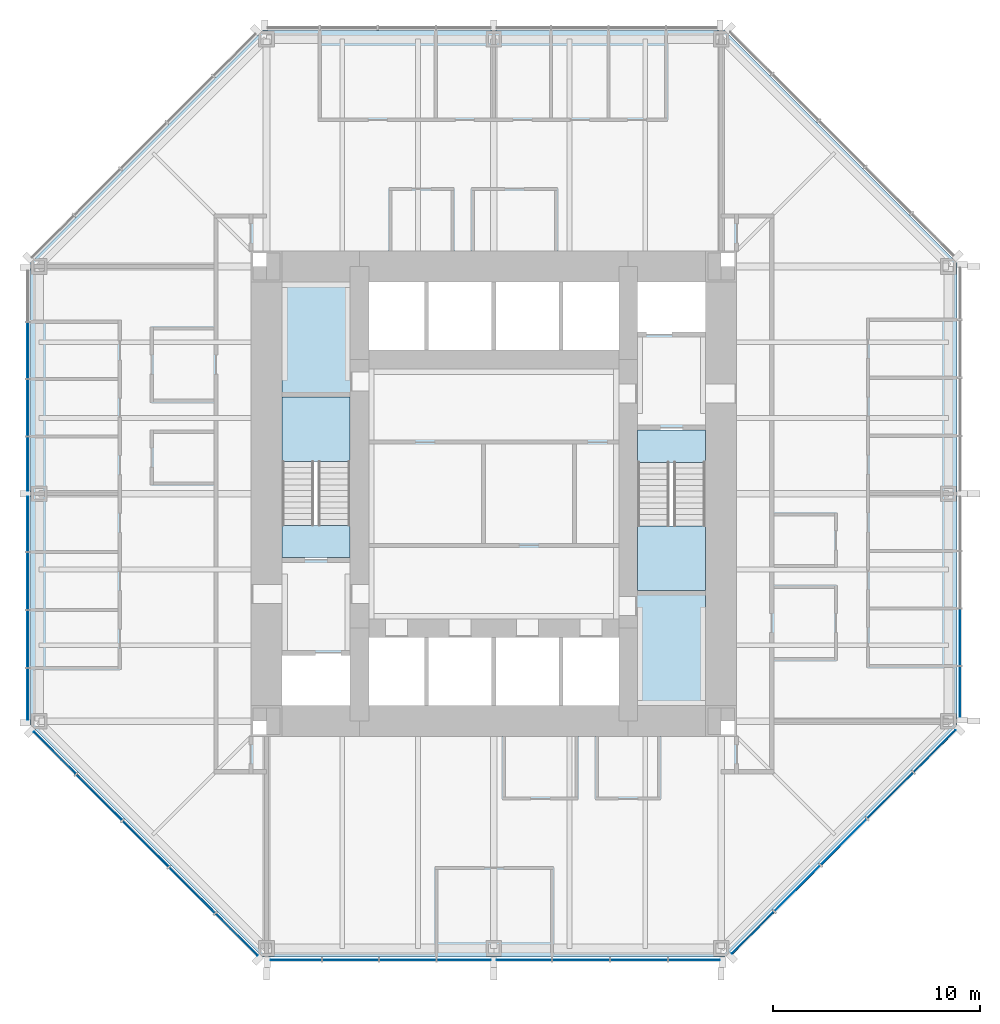
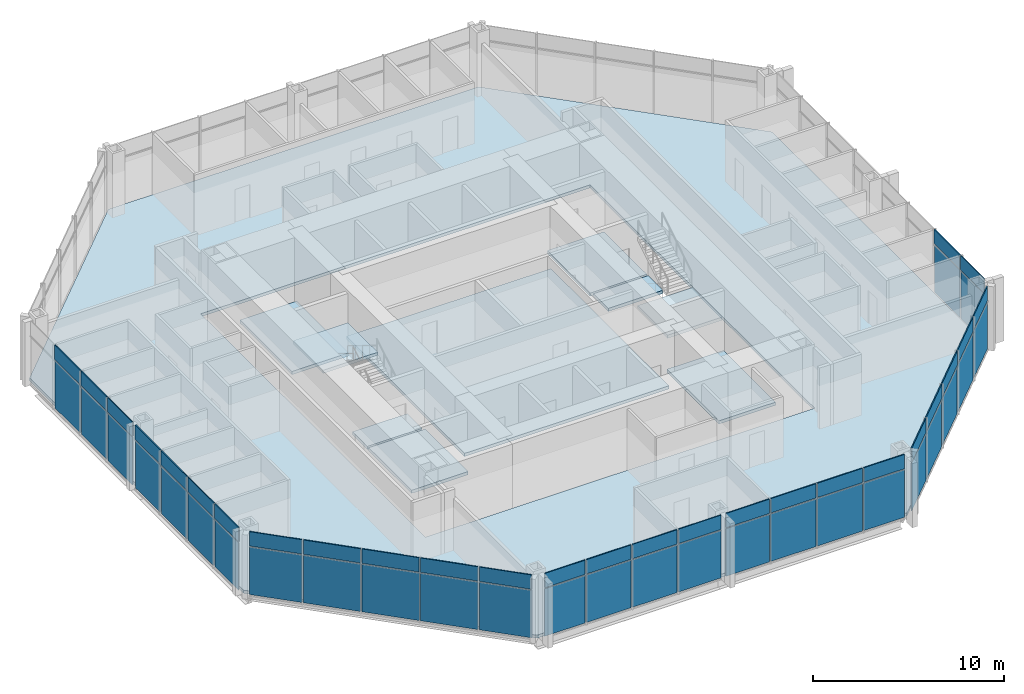
# One storey, part 7 of 14: 54 plates, 10 slabs, 7 elements without a shape of their own.
"""IFC4 building model written with IfcOpenShell, lengths in metres."""

from ifc_helpers import new_model, si_unit, direction, frame, origin, origin_2d, place, context, subcontext, project, spatial, polyline, rectangle, outline, extrude, material, layer, layer_set, type_object, element, aggregate, save


model = new_model("IFC4")

# Units and contexts
model_context = context("Model", 3, precision=1e-05, world=origin(), true_north=direction((0.0, 1.0)))
body_context = subcontext(model_context, "Body", "Model", "MODEL_VIEW")
ifc_project = project(units=[si_unit("LENGTHUNIT", "METRE"), si_unit("AREAUNIT", "SQUARE_METRE"), si_unit("VOLUMEUNIT", "CUBIC_METRE"), si_unit("PLANEANGLEUNIT", "RADIAN"), si_unit("MASSUNIT", "GRAM", prefix="KILO")], contexts=[model_context])

# Site, building, storey
site_placement = place(None, origin())
site = spatial("IfcSite", under=ifc_project, at=site_placement, CompositionType="ELEMENT")
building_placement = place(site_placement, origin())
building = spatial("IfcBuilding", under=site, at=building_placement, Name="Trevanion Tower", CompositionType="ELEMENT")
storey_placement = place(building_placement, frame((0.0, 0.0, 109.0)))
storey = spatial("IfcBuildingStorey", under=building, at=storey_placement, Name="L25", CompositionType="ELEMENT", Elevation=109.0)

# Curtain wall, plates
ifc_material_1 = material(Name="Aluminium and glass", Category="aluminium")
curtain_wall_type = type_object("IfcCurtainWallType", Name="CW2 curtain wall", PredefinedType="USERDEFINED", material=ifc_material_1)
curtain_wall_1_placement = place(storey_placement, origin())
curtain_wall_1 = element("IfcCurtainWall", 1, at=curtain_wall_1_placement, inside=storey, type_object=curtain_wall_type, Name="CW2 L25 0", ObjectType="UNITISED CURTAIN WALL", PredefinedType="USERDEFINED")
ifc_material_2 = material(Name="Aluminium spandrel panel", Category="aluminium")
ifc_layer_1 = layer(ifc_material_2, 0.06005859375)
ifc_layer_set_1 = layer_set([ifc_layer_1], Name="CW2 spandrel panel")
plate_type_1 = type_object("IfcPlateType", Name="CW2 spandrel panel", PredefinedType="CURTAIN_PANEL", material=ifc_layer_set_1)
plate_1_placement = place(storey_placement, frame((22.550048828125, -9.579345703125, 2.997314453125), z_axis=(0.0, 0.0, 1.0), x_axis=(0.0, 1.0, 0.0)))
plate_1 = element("IfcPlate", 2, at=plate_1_placement, type_object=plate_type_1, Name="CW2 panel 1.2", PredefinedType="CURTAIN_PANEL", context=body_context, shape_type="SweptSolid", body=[
    extrude(rectangle(XDim=2.43701171875, YDim=0.06005859375, at=origin_2d()), origin(), (0.0, 0.0, 1.0), 0.91259765625),
])
plate_2_placement = place(storey_placement, frame((22.550048828125, -6.93603515625, 2.997314453125), z_axis=(0.0, 0.0, 1.0), x_axis=(0.0, 1.0, 0.0)))
plate_2 = element("IfcPlate", 3, at=plate_2_placement, type_object=plate_type_1, Name="CW2 panel 2.2", PredefinedType="CURTAIN_PANEL", context=body_context, shape_type="SweptSolid", body=[
    extrude(rectangle(XDim=2.699462890625, YDim=0.06005859375, at=origin_2d()), origin(), (0.0, 0.0, 1.0), 0.91259765625),
])

curtain_wall_2_placement = place(storey_placement, origin())
curtain_wall_2 = element("IfcCurtainWall", 4, at=curtain_wall_2_placement, inside=storey, type_object=curtain_wall_type, Name="CW2 L25 4", ObjectType="UNITISED CURTAIN WALL", PredefinedType="USERDEFINED")
plate_3_placement = place(storey_placement, frame((-22.550048828125, 6.93603515625, 2.997314453125), z_axis=(0.0, 0.0, 1.0), x_axis=(0.0, -1.0, 0.0)))
plate_3 = element("IfcPlate", 5, at=plate_3_placement, type_object=plate_type_1, Name="CW2 panel 2.2", PredefinedType="CURTAIN_PANEL", context=body_context, shape_type="SweptSolid", body=[
    extrude(rectangle(XDim=2.699462890625, YDim=0.06005859375, at=origin_2d()), origin(), (0.0, 0.0, 1.0), 0.91259765625),
])
plate_4_placement = place(storey_placement, frame((-22.550048828125, 4.16162109375, 2.997314453125), z_axis=(0.0, 0.0, 1.0), x_axis=(0.0, -1.0, 0.0)))
plate_4 = element("IfcPlate", 6, at=plate_4_placement, type_object=plate_type_1, Name="CW2 panel 3.2", PredefinedType="CURTAIN_PANEL", context=body_context, shape_type="SweptSolid", body=[
    extrude(rectangle(XDim=2.699462890625, YDim=0.06005859375, at=origin_2d()), origin(), (0.0, 0.0, 1.0), 0.91259765625),
])
plate_5_placement = place(storey_placement, frame((-22.550048828125, 1.443603515625, 2.997314453125), z_axis=(0.0, 0.0, 1.0), x_axis=(0.0, -1.0, 0.0)))
plate_5 = element("IfcPlate", 7, at=plate_5_placement, type_object=plate_type_1, Name="CW2 panel 4.2", PredefinedType="CURTAIN_PANEL", context=body_context, shape_type="SweptSolid", body=[
    extrude(rectangle(XDim=2.5869140625, YDim=0.06005859375, at=origin_2d()), origin(), (0.0, 0.0, 1.0), 0.91259765625),
])
plate_6_placement = place(storey_placement, frame((-22.550048828125, -1.459716796875, 2.997314453125), z_axis=(0.0, 0.0, 1.0), x_axis=(0.0, -1.0, 0.0)))
plate_6 = element("IfcPlate", 8, at=plate_6_placement, type_object=plate_type_1, Name="CW2 panel 5.2", PredefinedType="CURTAIN_PANEL", context=body_context, shape_type="SweptSolid", body=[
    extrude(rectangle(XDim=2.619384765625, YDim=0.06005859375, at=origin_2d()), origin(), (0.0, 0.0, 1.0), 0.91259765625),
])
plate_7_placement = place(storey_placement, frame((-22.550048828125, -4.21044921875, 2.997314453125), z_axis=(0.0, 0.0, 1.0), x_axis=(0.0, -1.0, 0.0)))
plate_7 = element("IfcPlate", 9, at=plate_7_placement, type_object=plate_type_1, Name="CW2 panel 6.2", PredefinedType="CURTAIN_PANEL", context=body_context, shape_type="SweptSolid", body=[
    extrude(rectangle(XDim=2.73193359375, YDim=0.06005859375, at=origin_2d()), origin(), (0.0, 0.0, 1.0), 0.91259765625),
])
plate_8_placement = place(storey_placement, frame((-22.550048828125, -7.017333984375, 2.997314453125), z_axis=(0.0, 0.0, 1.0), x_axis=(0.0, -1.0, 0.0)))
plate_8 = element("IfcPlate", 10, at=plate_8_placement, type_object=plate_type_1, Name="CW2 panel 7.2", PredefinedType="CURTAIN_PANEL", context=body_context, shape_type="SweptSolid", body=[
    extrude(rectangle(XDim=2.73193359375, YDim=0.06005859375, at=origin_2d()), origin(), (0.0, 0.0, 1.0), 0.91259765625),
])
plate_9_placement = place(storey_placement, frame((-22.550048828125, -9.693115234375, 2.997314453125), z_axis=(0.0, 0.0, 1.0), x_axis=(0.0, -1.0, 0.0)))
plate_9 = element("IfcPlate", 11, at=plate_9_placement, type_object=plate_type_1, Name="CW2 panel 8.2", PredefinedType="CURTAIN_PANEL", context=body_context, shape_type="SweptSolid", body=[
    extrude(rectangle(XDim=2.469482421875, YDim=0.06005859375, at=origin_2d()), origin(), (0.0, 0.0, 1.0), 0.91259765625),
])

curtain_wall_3_placement = place(storey_placement, origin())
curtain_wall_3 = element("IfcCurtainWall", 12, at=curtain_wall_3_placement, inside=storey, type_object=curtain_wall_type, Name="CW2 L25 5", ObjectType="UNITISED CURTAIN WALL", PredefinedType="USERDEFINED")
plate_10_placement = place(storey_placement, frame((-21.2421875, -12.53564453125, 2.997314453125), z_axis=(0.0, 0.0, 1.0), x_axis=(0.707106781187, -0.707106781187, 0.0)))
plate_10 = element("IfcPlate", 13, at=plate_10_placement, type_object=plate_type_1, Name="CW2 panel 1.2", PredefinedType="CURTAIN_PANEL", context=body_context, shape_type="SweptSolid", body=[
    extrude(rectangle(XDim=2.8388671875, YDim=0.06005859375, at=origin_2d()), origin(), (0.0, 0.0, 1.0), 0.91259765625),
])
plate_11_placement = place(storey_placement, frame((-19.089111328125, -14.688720703125, 2.997314453125), z_axis=(0.0, 0.0, 1.0), x_axis=(0.707106781187, -0.707106781187, 0.0)))
plate_11 = element("IfcPlate", 14, at=plate_11_placement, type_object=plate_type_1, Name="CW2 panel 2.2", PredefinedType="CURTAIN_PANEL", context=body_context, shape_type="SweptSolid", body=[
    extrude(rectangle(XDim=3.101318359375, YDim=0.06005859375, at=origin_2d()), origin(), (0.0, 0.0, 1.0), 0.91259765625),
])
plate_12_placement = place(storey_placement, frame((-16.843017578125, -16.934814453125, 2.997314453125), z_axis=(0.0, 0.0, 1.0), x_axis=(0.707106781187, -0.707106781187, 0.0)))
plate_12 = element("IfcPlate", 15, at=plate_12_placement, type_object=plate_type_1, Name="CW2 panel 3.2", PredefinedType="CURTAIN_PANEL", context=body_context, shape_type="SweptSolid", body=[
    extrude(rectangle(XDim=3.101318359375, YDim=0.06005859375, at=origin_2d()), origin(), (0.0, 0.0, 1.0), 0.91259765625),
])
plate_13_placement = place(storey_placement, frame((-14.596923828125, -19.180908203125, 2.997314453125), z_axis=(0.0, 0.0, 1.0), x_axis=(0.707106781187, -0.707106781187, 0.0)))
plate_13 = element("IfcPlate", 16, at=plate_13_placement, type_object=plate_type_1, Name="CW2 panel 4.2", PredefinedType="CURTAIN_PANEL", context=body_context, shape_type="SweptSolid", body=[
    extrude(rectangle(XDim=3.101318359375, YDim=0.06005859375, at=origin_2d()), origin(), (0.0, 0.0, 1.0), 0.91259765625),
])
plate_14_placement = place(storey_placement, frame((-12.443603515625, -21.334228515625, 2.997314453125), z_axis=(0.0, 0.0, 1.0), x_axis=(0.707106781187, -0.707106781187, 0.0)))
plate_14 = element("IfcPlate", 17, at=plate_14_placement, type_object=plate_type_1, Name="CW2 panel 5.2", PredefinedType="CURTAIN_PANEL", context=body_context, shape_type="SweptSolid", body=[
    extrude(rectangle(XDim=2.8388671875, YDim=0.06005859375, at=origin_2d()), origin(), (0.0, 0.0, 1.0), 0.91259765625),
])

curtain_wall_4_placement = place(storey_placement, origin())
curtain_wall_4 = element("IfcCurtainWall", 18, at=curtain_wall_4_placement, inside=storey, type_object=curtain_wall_type, Name="CW2 L25 6", ObjectType="UNITISED CURTAIN WALL", PredefinedType="USERDEFINED")
plate_15_placement = place(storey_placement, frame((-9.579345703125, -22.550048828125, 2.997314453125), z_axis=(0.0, 0.0, 1.0), x_axis=(1.0, 0.0, 0.0)))
plate_15 = element("IfcPlate", 19, at=plate_15_placement, type_object=plate_type_1, Name="CW2 panel 1.2", PredefinedType="CURTAIN_PANEL", context=body_context, shape_type="SweptSolid", body=[
    extrude(rectangle(XDim=2.43701171875, YDim=0.06005859375, at=origin_2d()), origin(), (0.0, 0.0, 1.0), 0.91259765625),
])
plate_16_placement = place(storey_placement, frame((-6.93603515625, -22.550048828125, 2.997314453125), z_axis=(0.0, 0.0, 1.0), x_axis=(1.0, 0.0, 0.0)))
plate_16 = element("IfcPlate", 20, at=plate_16_placement, type_object=plate_type_1, Name="CW2 panel 2.2", PredefinedType="CURTAIN_PANEL", context=body_context, shape_type="SweptSolid", body=[
    extrude(rectangle(XDim=2.699462890625, YDim=0.06005859375, at=origin_2d()), origin(), (0.0, 0.0, 1.0), 0.91259765625),
])
plate_17_placement = place(storey_placement, frame((-4.16162109375, -22.550048828125, 2.997314453125), z_axis=(0.0, 0.0, 1.0), x_axis=(1.0, 0.0, 0.0)))
plate_17 = element("IfcPlate", 21, at=plate_17_placement, type_object=plate_type_1, Name="CW2 panel 3.2", PredefinedType="CURTAIN_PANEL", context=body_context, shape_type="SweptSolid", body=[
    extrude(rectangle(XDim=2.699462890625, YDim=0.06005859375, at=origin_2d()), origin(), (0.0, 0.0, 1.0), 0.91259765625),
])
plate_18_placement = place(storey_placement, frame((-1.443603515625, -22.550048828125, 2.997314453125), z_axis=(0.0, 0.0, 1.0), x_axis=(1.0, 0.0, 0.0)))
plate_18 = element("IfcPlate", 22, at=plate_18_placement, type_object=plate_type_1, Name="CW2 panel 4.2", PredefinedType="CURTAIN_PANEL", context=body_context, shape_type="SweptSolid", body=[
    extrude(rectangle(XDim=2.5869140625, YDim=0.06005859375, at=origin_2d()), origin(), (0.0, 0.0, 1.0), 0.91259765625),
])
plate_19_placement = place(storey_placement, frame((1.459716796875, -22.550048828125, 2.997314453125), z_axis=(0.0, 0.0, 1.0), x_axis=(1.0, 0.0, 0.0)))
plate_19 = element("IfcPlate", 23, at=plate_19_placement, type_object=plate_type_1, Name="CW2 panel 5.2", PredefinedType="CURTAIN_PANEL", context=body_context, shape_type="SweptSolid", body=[
    extrude(rectangle(XDim=2.619384765625, YDim=0.06005859375, at=origin_2d()), origin(), (0.0, 0.0, 1.0), 0.91259765625),
])
plate_20_placement = place(storey_placement, frame((4.21044921875, -22.550048828125, 2.997314453125), z_axis=(0.0, 0.0, 1.0), x_axis=(1.0, 0.0, 0.0)))
plate_20 = element("IfcPlate", 24, at=plate_20_placement, type_object=plate_type_1, Name="CW2 panel 6.2", PredefinedType="CURTAIN_PANEL", context=body_context, shape_type="SweptSolid", body=[
    extrude(rectangle(XDim=2.73193359375, YDim=0.06005859375, at=origin_2d()), origin(), (0.0, 0.0, 1.0), 0.91259765625),
])
plate_21_placement = place(storey_placement, frame((7.017333984375, -22.550048828125, 2.997314453125), z_axis=(0.0, 0.0, 1.0), x_axis=(1.0, 0.0, 0.0)))
plate_21 = element("IfcPlate", 25, at=plate_21_placement, type_object=plate_type_1, Name="CW2 panel 7.2", PredefinedType="CURTAIN_PANEL", context=body_context, shape_type="SweptSolid", body=[
    extrude(rectangle(XDim=2.73193359375, YDim=0.06005859375, at=origin_2d()), origin(), (0.0, 0.0, 1.0), 0.91259765625),
])
plate_22_placement = place(storey_placement, frame((9.693115234375, -22.550048828125, 2.997314453125), z_axis=(0.0, 0.0, 1.0), x_axis=(1.0, 0.0, 0.0)))
plate_22 = element("IfcPlate", 26, at=plate_22_placement, type_object=plate_type_1, Name="CW2 panel 8.2", PredefinedType="CURTAIN_PANEL", context=body_context, shape_type="SweptSolid", body=[
    extrude(rectangle(XDim=2.469482421875, YDim=0.06005859375, at=origin_2d()), origin(), (0.0, 0.0, 1.0), 0.91259765625),
])

curtain_wall_5_placement = place(storey_placement, origin())
curtain_wall_5 = element("IfcCurtainWall", 27, at=curtain_wall_5_placement, inside=storey, type_object=curtain_wall_type, Name="CW2 L25 7", ObjectType="UNITISED CURTAIN WALL", PredefinedType="USERDEFINED")
plate_23_placement = place(storey_placement, frame((12.53564453125, -21.2421875, 2.997314453125), z_axis=(0.0, 0.0, 1.0), x_axis=(0.707106781187, 0.707106781187, 0.0)))
plate_23 = element("IfcPlate", 28, at=plate_23_placement, type_object=plate_type_1, Name="CW2 panel 1.2", PredefinedType="CURTAIN_PANEL", context=body_context, shape_type="SweptSolid", body=[
    extrude(rectangle(XDim=2.8388671875, YDim=0.06005859375, at=origin_2d()), origin(), (0.0, 0.0, 1.0), 0.91259765625),
])
plate_24_placement = place(storey_placement, frame((14.688720703125, -19.089111328125, 2.997314453125), z_axis=(0.0, 0.0, 1.0), x_axis=(0.707106781187, 0.707106781187, 0.0)))
plate_24 = element("IfcPlate", 29, at=plate_24_placement, type_object=plate_type_1, Name="CW2 panel 2.2", PredefinedType="CURTAIN_PANEL", context=body_context, shape_type="SweptSolid", body=[
    extrude(rectangle(XDim=3.101318359375, YDim=0.06005859375, at=origin_2d()), origin(), (0.0, 0.0, 1.0), 0.91259765625),
])
plate_25_placement = place(storey_placement, frame((16.934814453125, -16.843017578125, 2.997314453125), z_axis=(0.0, 0.0, 1.0), x_axis=(0.707106781187, 0.707106781187, 0.0)))
plate_25 = element("IfcPlate", 30, at=plate_25_placement, type_object=plate_type_1, Name="CW2 panel 3.2", PredefinedType="CURTAIN_PANEL", context=body_context, shape_type="SweptSolid", body=[
    extrude(rectangle(XDim=3.101318359375, YDim=0.06005859375, at=origin_2d()), origin(), (0.0, 0.0, 1.0), 0.91259765625),
])
plate_26_placement = place(storey_placement, frame((19.180908203125, -14.596923828125, 2.997314453125), z_axis=(0.0, 0.0, 1.0), x_axis=(0.707106781187, 0.707106781187, 0.0)))
plate_26 = element("IfcPlate", 31, at=plate_26_placement, type_object=plate_type_1, Name="CW2 panel 4.2", PredefinedType="CURTAIN_PANEL", context=body_context, shape_type="SweptSolid", body=[
    extrude(rectangle(XDim=3.101318359375, YDim=0.06005859375, at=origin_2d()), origin(), (0.0, 0.0, 1.0), 0.91259765625),
])
plate_27_placement = place(storey_placement, frame((21.334228515625, -12.443603515625, 2.997314453125), z_axis=(0.0, 0.0, 1.0), x_axis=(0.707106781187, 0.707106781187, 0.0)))
plate_27 = element("IfcPlate", 32, at=plate_27_placement, type_object=plate_type_1, Name="CW2 panel 5.2", PredefinedType="CURTAIN_PANEL", context=body_context, shape_type="SweptSolid", body=[
    extrude(rectangle(XDim=2.8388671875, YDim=0.06005859375, at=origin_2d()), origin(), (0.0, 0.0, 1.0), 0.91259765625),
])

# Plate
ifc_material_3 = material(Name="Insulating glass unit", Category="glass")
ifc_layer_2 = layer(ifc_material_3, 0.028076171875)
ifc_layer_set_2 = layer_set([ifc_layer_2], Name="CW2 vision panel")
plate_type_2 = type_object("IfcPlateType", Name="CW2 vision panel", PredefinedType="CURTAIN_PANEL", material=ifc_layer_set_2)
plate_28_placement = place(storey_placement, frame((22.550048828125, -9.579345703125, -0.114990234375), z_axis=(0.0, 0.0, 1.0), x_axis=(0.0, 1.0, 0.0)))
plate_28 = element("IfcPlate", 33, at=plate_28_placement, type_object=plate_type_2, Name="CW2 panel 1.1", PredefinedType="CURTAIN_PANEL", context=body_context, shape_type="SweptSolid", body=[
    extrude(rectangle(XDim=2.43701171875, YDim=0.028076171875, at=origin_2d()), origin(), (0.0, 0.0, 1.0), 3.03759765625),
])

plate_29_placement = place(storey_placement, frame((22.550048828125, -6.93603515625, -0.114990234375), z_axis=(0.0, 0.0, 1.0), x_axis=(0.0, 1.0, 0.0)))
plate_29 = element("IfcPlate", 34, at=plate_29_placement, type_object=plate_type_2, Name="CW2 panel 2.1", PredefinedType="CURTAIN_PANEL", context=body_context, shape_type="SweptSolid", body=[
    extrude(rectangle(XDim=2.699462890625, YDim=0.028076171875, at=origin_2d()), origin(), (0.0, 0.0, 1.0), 3.03759765625),
])

aggregate(curtain_wall_1, [plate_28, plate_1, plate_29, plate_2])

plate_30_placement = place(storey_placement, frame((-22.550048828125, 6.93603515625, -0.114990234375), z_axis=(0.0, 0.0, 1.0), x_axis=(0.0, -1.0, 0.0)))
plate_30 = element("IfcPlate", 35, at=plate_30_placement, type_object=plate_type_2, Name="CW2 panel 2.1", PredefinedType="CURTAIN_PANEL", context=body_context, shape_type="SweptSolid", body=[
    extrude(rectangle(XDim=2.699462890625, YDim=0.028076171875, at=origin_2d()), origin(), (0.0, 0.0, 1.0), 3.03759765625),
])

plate_31_placement = place(storey_placement, frame((-22.550048828125, 4.16162109375, -0.114990234375), z_axis=(0.0, 0.0, 1.0), x_axis=(0.0, -1.0, 0.0)))
plate_31 = element("IfcPlate", 36, at=plate_31_placement, type_object=plate_type_2, Name="CW2 panel 3.1", PredefinedType="CURTAIN_PANEL", context=body_context, shape_type="SweptSolid", body=[
    extrude(rectangle(XDim=2.699462890625, YDim=0.028076171875, at=origin_2d()), origin(), (0.0, 0.0, 1.0), 3.03759765625),
])

plate_32_placement = place(storey_placement, frame((-22.550048828125, 1.443603515625, -0.114990234375), z_axis=(0.0, 0.0, 1.0), x_axis=(0.0, -1.0, 0.0)))
plate_32 = element("IfcPlate", 37, at=plate_32_placement, type_object=plate_type_2, Name="CW2 panel 4.1", PredefinedType="CURTAIN_PANEL", context=body_context, shape_type="SweptSolid", body=[
    extrude(rectangle(XDim=2.5869140625, YDim=0.028076171875, at=origin_2d()), origin(), (0.0, 0.0, 1.0), 3.03759765625),
])

plate_33_placement = place(storey_placement, frame((-22.550048828125, -1.459716796875, -0.114990234375), z_axis=(0.0, 0.0, 1.0), x_axis=(0.0, -1.0, 0.0)))
plate_33 = element("IfcPlate", 38, at=plate_33_placement, type_object=plate_type_2, Name="CW2 panel 5.1", PredefinedType="CURTAIN_PANEL", context=body_context, shape_type="SweptSolid", body=[
    extrude(rectangle(XDim=2.619384765625, YDim=0.028076171875, at=origin_2d()), origin(), (0.0, 0.0, 1.0), 3.03759765625),
])

plate_34_placement = place(storey_placement, frame((-22.550048828125, -4.21044921875, -0.114990234375), z_axis=(0.0, 0.0, 1.0), x_axis=(0.0, -1.0, 0.0)))
plate_34 = element("IfcPlate", 39, at=plate_34_placement, type_object=plate_type_2, Name="CW2 panel 6.1", PredefinedType="CURTAIN_PANEL", context=body_context, shape_type="SweptSolid", body=[
    extrude(rectangle(XDim=2.73193359375, YDim=0.028076171875, at=origin_2d()), origin(), (0.0, 0.0, 1.0), 3.03759765625),
])

plate_35_placement = place(storey_placement, frame((-22.550048828125, -7.017333984375, -0.114990234375), z_axis=(0.0, 0.0, 1.0), x_axis=(0.0, -1.0, 0.0)))
plate_35 = element("IfcPlate", 40, at=plate_35_placement, type_object=plate_type_2, Name="CW2 panel 7.1", PredefinedType="CURTAIN_PANEL", context=body_context, shape_type="SweptSolid", body=[
    extrude(rectangle(XDim=2.73193359375, YDim=0.028076171875, at=origin_2d()), origin(), (0.0, 0.0, 1.0), 3.03759765625),
])

plate_36_placement = place(storey_placement, frame((-22.550048828125, -9.693115234375, -0.114990234375), z_axis=(0.0, 0.0, 1.0), x_axis=(0.0, -1.0, 0.0)))
plate_36 = element("IfcPlate", 41, at=plate_36_placement, type_object=plate_type_2, Name="CW2 panel 8.1", PredefinedType="CURTAIN_PANEL", context=body_context, shape_type="SweptSolid", body=[
    extrude(rectangle(XDim=2.469482421875, YDim=0.028076171875, at=origin_2d()), origin(), (0.0, 0.0, 1.0), 3.03759765625),
])

aggregate(curtain_wall_2, [plate_30, plate_3, plate_31, plate_4, plate_32, plate_5, plate_33, plate_6, plate_34, plate_7, plate_35, plate_8, plate_36, plate_9])

plate_37_placement = place(storey_placement, frame((-21.2421875, -12.53564453125, -0.114990234375), z_axis=(0.0, 0.0, 1.0), x_axis=(0.707106781187, -0.707106781187, 0.0)))
plate_37 = element("IfcPlate", 42, at=plate_37_placement, type_object=plate_type_2, Name="CW2 panel 1.1", PredefinedType="CURTAIN_PANEL", context=body_context, shape_type="SweptSolid", body=[
    extrude(rectangle(XDim=2.8388671875, YDim=0.028076171875, at=origin_2d()), origin(), (0.0, 0.0, 1.0), 3.03759765625),
])

plate_38_placement = place(storey_placement, frame((-19.089111328125, -14.688720703125, -0.114990234375), z_axis=(0.0, 0.0, 1.0), x_axis=(0.707106781187, -0.707106781187, 0.0)))
plate_38 = element("IfcPlate", 43, at=plate_38_placement, type_object=plate_type_2, Name="CW2 panel 2.1", PredefinedType="CURTAIN_PANEL", context=body_context, shape_type="SweptSolid", body=[
    extrude(rectangle(XDim=3.101318359375, YDim=0.028076171875, at=origin_2d()), origin(), (0.0, 0.0, 1.0), 3.03759765625),
])

plate_39_placement = place(storey_placement, frame((-16.843017578125, -16.934814453125, -0.114990234375), z_axis=(0.0, 0.0, 1.0), x_axis=(0.707106781187, -0.707106781187, 0.0)))
plate_39 = element("IfcPlate", 44, at=plate_39_placement, type_object=plate_type_2, Name="CW2 panel 3.1", PredefinedType="CURTAIN_PANEL", context=body_context, shape_type="SweptSolid", body=[
    extrude(rectangle(XDim=3.101318359375, YDim=0.028076171875, at=origin_2d()), origin(), (0.0, 0.0, 1.0), 3.03759765625),
])

plate_40_placement = place(storey_placement, frame((-14.596923828125, -19.180908203125, -0.114990234375), z_axis=(0.0, 0.0, 1.0), x_axis=(0.707106781187, -0.707106781187, 0.0)))
plate_40 = element("IfcPlate", 45, at=plate_40_placement, type_object=plate_type_2, Name="CW2 panel 4.1", PredefinedType="CURTAIN_PANEL", context=body_context, shape_type="SweptSolid", body=[
    extrude(rectangle(XDim=3.101318359375, YDim=0.028076171875, at=origin_2d()), origin(), (0.0, 0.0, 1.0), 3.03759765625),
])

plate_41_placement = place(storey_placement, frame((-12.443603515625, -21.334228515625, -0.114990234375), z_axis=(0.0, 0.0, 1.0), x_axis=(0.707106781187, -0.707106781187, 0.0)))
plate_41 = element("IfcPlate", 46, at=plate_41_placement, type_object=plate_type_2, Name="CW2 panel 5.1", PredefinedType="CURTAIN_PANEL", context=body_context, shape_type="SweptSolid", body=[
    extrude(rectangle(XDim=2.8388671875, YDim=0.028076171875, at=origin_2d()), origin(), (0.0, 0.0, 1.0), 3.03759765625),
])

aggregate(curtain_wall_3, [plate_37, plate_10, plate_38, plate_11, plate_39, plate_12, plate_40, plate_13, plate_41, plate_14])

plate_42_placement = place(storey_placement, frame((-9.579345703125, -22.550048828125, -0.114990234375), z_axis=(0.0, 0.0, 1.0), x_axis=(1.0, 0.0, 0.0)))
plate_42 = element("IfcPlate", 47, at=plate_42_placement, type_object=plate_type_2, Name="CW2 panel 1.1", PredefinedType="CURTAIN_PANEL", context=body_context, shape_type="SweptSolid", body=[
    extrude(rectangle(XDim=2.43701171875, YDim=0.028076171875, at=origin_2d()), origin(), (0.0, 0.0, 1.0), 3.03759765625),
])

plate_43_placement = place(storey_placement, frame((-6.93603515625, -22.550048828125, -0.114990234375), z_axis=(0.0, 0.0, 1.0), x_axis=(1.0, 0.0, 0.0)))
plate_43 = element("IfcPlate", 48, at=plate_43_placement, type_object=plate_type_2, Name="CW2 panel 2.1", PredefinedType="CURTAIN_PANEL", context=body_context, shape_type="SweptSolid", body=[
    extrude(rectangle(XDim=2.699462890625, YDim=0.028076171875, at=origin_2d()), origin(), (0.0, 0.0, 1.0), 3.03759765625),
])

plate_44_placement = place(storey_placement, frame((-4.16162109375, -22.550048828125, -0.114990234375), z_axis=(0.0, 0.0, 1.0), x_axis=(1.0, 0.0, 0.0)))
plate_44 = element("IfcPlate", 49, at=plate_44_placement, type_object=plate_type_2, Name="CW2 panel 3.1", PredefinedType="CURTAIN_PANEL", context=body_context, shape_type="SweptSolid", body=[
    extrude(rectangle(XDim=2.699462890625, YDim=0.028076171875, at=origin_2d()), origin(), (0.0, 0.0, 1.0), 3.03759765625),
])

plate_45_placement = place(storey_placement, frame((-1.443603515625, -22.550048828125, -0.114990234375), z_axis=(0.0, 0.0, 1.0), x_axis=(1.0, 0.0, 0.0)))
plate_45 = element("IfcPlate", 50, at=plate_45_placement, type_object=plate_type_2, Name="CW2 panel 4.1", PredefinedType="CURTAIN_PANEL", context=body_context, shape_type="SweptSolid", body=[
    extrude(rectangle(XDim=2.5869140625, YDim=0.028076171875, at=origin_2d()), origin(), (0.0, 0.0, 1.0), 3.03759765625),
])

plate_46_placement = place(storey_placement, frame((1.459716796875, -22.550048828125, -0.114990234375), z_axis=(0.0, 0.0, 1.0), x_axis=(1.0, 0.0, 0.0)))
plate_46 = element("IfcPlate", 51, at=plate_46_placement, type_object=plate_type_2, Name="CW2 panel 5.1", PredefinedType="CURTAIN_PANEL", context=body_context, shape_type="SweptSolid", body=[
    extrude(rectangle(XDim=2.619384765625, YDim=0.028076171875, at=origin_2d()), origin(), (0.0, 0.0, 1.0), 3.03759765625),
])

plate_47_placement = place(storey_placement, frame((4.21044921875, -22.550048828125, -0.114990234375), z_axis=(0.0, 0.0, 1.0), x_axis=(1.0, 0.0, 0.0)))
plate_47 = element("IfcPlate", 52, at=plate_47_placement, type_object=plate_type_2, Name="CW2 panel 6.1", PredefinedType="CURTAIN_PANEL", context=body_context, shape_type="SweptSolid", body=[
    extrude(rectangle(XDim=2.73193359375, YDim=0.028076171875, at=origin_2d()), origin(), (0.0, 0.0, 1.0), 3.03759765625),
])

plate_48_placement = place(storey_placement, frame((7.017333984375, -22.550048828125, -0.114990234375), z_axis=(0.0, 0.0, 1.0), x_axis=(1.0, 0.0, 0.0)))
plate_48 = element("IfcPlate", 53, at=plate_48_placement, type_object=plate_type_2, Name="CW2 panel 7.1", PredefinedType="CURTAIN_PANEL", context=body_context, shape_type="SweptSolid", body=[
    extrude(rectangle(XDim=2.73193359375, YDim=0.028076171875, at=origin_2d()), origin(), (0.0, 0.0, 1.0), 3.03759765625),
])

plate_49_placement = place(storey_placement, frame((9.693115234375, -22.550048828125, -0.114990234375), z_axis=(0.0, 0.0, 1.0), x_axis=(1.0, 0.0, 0.0)))
plate_49 = element("IfcPlate", 54, at=plate_49_placement, type_object=plate_type_2, Name="CW2 panel 8.1", PredefinedType="CURTAIN_PANEL", context=body_context, shape_type="SweptSolid", body=[
    extrude(rectangle(XDim=2.469482421875, YDim=0.028076171875, at=origin_2d()), origin(), (0.0, 0.0, 1.0), 3.03759765625),
])

aggregate(curtain_wall_4, [plate_42, plate_15, plate_43, plate_16, plate_44, plate_17, plate_45, plate_18, plate_46, plate_19, plate_47, plate_20, plate_48, plate_21, plate_49, plate_22])

plate_50_placement = place(storey_placement, frame((12.53564453125, -21.2421875, -0.114990234375), z_axis=(0.0, 0.0, 1.0), x_axis=(0.707106781187, 0.707106781187, 0.0)))
plate_50 = element("IfcPlate", 55, at=plate_50_placement, type_object=plate_type_2, Name="CW2 panel 1.1", PredefinedType="CURTAIN_PANEL", context=body_context, shape_type="SweptSolid", body=[
    extrude(rectangle(XDim=2.8388671875, YDim=0.028076171875, at=origin_2d()), origin(), (0.0, 0.0, 1.0), 3.03759765625),
])

plate_51_placement = place(storey_placement, frame((14.688720703125, -19.089111328125, -0.114990234375), z_axis=(0.0, 0.0, 1.0), x_axis=(0.707106781187, 0.707106781187, 0.0)))
plate_51 = element("IfcPlate", 56, at=plate_51_placement, type_object=plate_type_2, Name="CW2 panel 2.1", PredefinedType="CURTAIN_PANEL", context=body_context, shape_type="SweptSolid", body=[
    extrude(rectangle(XDim=3.101318359375, YDim=0.028076171875, at=origin_2d()), origin(), (0.0, 0.0, 1.0), 3.03759765625),
])

plate_52_placement = place(storey_placement, frame((16.934814453125, -16.843017578125, -0.114990234375), z_axis=(0.0, 0.0, 1.0), x_axis=(0.707106781187, 0.707106781187, 0.0)))
plate_52 = element("IfcPlate", 57, at=plate_52_placement, type_object=plate_type_2, Name="CW2 panel 3.1", PredefinedType="CURTAIN_PANEL", context=body_context, shape_type="SweptSolid", body=[
    extrude(rectangle(XDim=3.101318359375, YDim=0.028076171875, at=origin_2d()), origin(), (0.0, 0.0, 1.0), 3.03759765625),
])

plate_53_placement = place(storey_placement, frame((19.180908203125, -14.596923828125, -0.114990234375), z_axis=(0.0, 0.0, 1.0), x_axis=(0.707106781187, 0.707106781187, 0.0)))
plate_53 = element("IfcPlate", 58, at=plate_53_placement, type_object=plate_type_2, Name="CW2 panel 4.1", PredefinedType="CURTAIN_PANEL", context=body_context, shape_type="SweptSolid", body=[
    extrude(rectangle(XDim=3.101318359375, YDim=0.028076171875, at=origin_2d()), origin(), (0.0, 0.0, 1.0), 3.03759765625),
])

plate_54_placement = place(storey_placement, frame((21.334228515625, -12.443603515625, -0.114990234375), z_axis=(0.0, 0.0, 1.0), x_axis=(0.707106781187, 0.707106781187, 0.0)))
plate_54 = element("IfcPlate", 59, at=plate_54_placement, type_object=plate_type_2, Name="CW2 panel 5.1", PredefinedType="CURTAIN_PANEL", context=body_context, shape_type="SweptSolid", body=[
    extrude(rectangle(XDim=2.8388671875, YDim=0.028076171875, at=origin_2d()), origin(), (0.0, 0.0, 1.0), 3.03759765625),
])

aggregate(curtain_wall_5, [plate_50, plate_23, plate_51, plate_24, plate_52, plate_25, plate_53, plate_26, plate_54, plate_27])

# Slabs
ifc_material_4 = material(Name="Concrete 5,000 psi on composite metal deck", Category="concrete")
ifc_layer_3 = layer(ifc_material_4, 0.18994140625)
ifc_layer_set_3 = layer_set([ifc_layer_3], Name="SL1 composite floor 190")
slab_type_1 = type_object("IfcSlabType", Name="SL1 composite floor 190", PredefinedType="FLOOR", material=ifc_layer_set_3)
slab_1_placement = place(storey_placement, frame((0.0, 0.0, -0.18994140625)))
element("IfcSlab", 60, at=slab_1_placement, inside=storey, type_object=slab_type_1, Name="SL1 L25 floor", PredefinedType="FLOOR", context=body_context, shape_type="SweptSolid", body=[
    extrude(outline(polyline([(22.419921875, -11.174072265625), (22.419921875, 11.174072265625), (11.174072265625, 22.419921875), (-11.174072265625, 22.419921875), (-22.419921875, 11.174072265625), (-22.419921875, -11.174072265625), (-11.174072265625, -22.419921875), (11.174072265625, -22.419921875), (22.419921875, -11.174072265625)]), holes=[polyline([(11.75, -11.75), (11.75, 11.75), (-11.75, 11.75), (-11.75, -11.75), (11.75, -11.75)])]), origin(), (0.0, 0.0, 1.0), 0.18994140625),
])
ifc_material_5 = material(Name="Concrete 5,000 psi", Category="concrete")
ifc_layer_4 = layer(ifc_material_5, 0.199951171875)
ifc_layer_set_4 = layer_set([ifc_layer_4], Name="SL2 core floor 200")
slab_type_2 = type_object("IfcSlabType", Name="SL2 core floor 200", PredefinedType="FLOOR", material=ifc_layer_set_4)
slab_2_placement = place(storey_placement, frame((0.0, 0.0, -0.199951171875)))
element("IfcSlab", 61, at=slab_2_placement, inside=storey, type_object=slab_type_2, Name="SL2 L25 core floor 1", PredefinedType="FLOOR", context=body_context, shape_type="SweptSolid", body=[
    extrude(outline(polyline([(10.25, -4.804931640625), (10.25, -10.25), (6.830078125, -10.25), (6.830078125, -4.804931640625), (10.25, -4.804931640625)])), origin(), (0.0, 0.0, 1.0), 0.199951171875),
])
slab_3_placement = place(storey_placement, frame((0.0, 0.0, -0.199951171875)))
element("IfcSlab", 62, at=slab_3_placement, inside=storey, type_object=slab_type_2, Name="SL2 L25 core floor 2", PredefinedType="FLOOR", context=body_context, shape_type="SweptSolid", body=[
    extrude(outline(polyline([(-6.830078125, -3.205078125), (-6.830078125, -7.695068359375), (-10.25, -7.695068359375), (-10.25, -3.205078125), (-6.830078125, -3.205078125)])), origin(), (0.0, 0.0, 1.0), 0.199951171875),
])
slab_4_placement = place(storey_placement, frame((0.0, 0.0, -0.199951171875)))
element("IfcSlab", 63, at=slab_4_placement, inside=storey, type_object=slab_type_2, Name="SL2 L25 core floor 3", PredefinedType="FLOOR", context=body_context, shape_type="SweptSolid", body=[
    extrude(outline(polyline([(6.169921875, -6.169921875), (-6.169921875, -6.169921875), (-6.169921875, 6.169921875), (6.169921875, 6.169921875), (6.169921875, -6.169921875)])), origin(), (0.0, 0.0, 1.0), 0.199951171875),
])
slab_5_placement = place(storey_placement, frame((0.0, 0.0, -0.199951171875)))
element("IfcSlab", 64, at=slab_5_placement, inside=storey, type_object=slab_type_2, Name="SL2 L25 core floor 4", PredefinedType="FLOOR", context=body_context, shape_type="SweptSolid", body=[
    extrude(outline(polyline([(6.830078125, 3.205078125), (6.830078125, 7.695068359375), (10.25, 7.695068359375), (10.25, 3.205078125), (6.830078125, 3.205078125)])), origin(), (0.0, 0.0, 1.0), 0.199951171875),
])
slab_6_placement = place(storey_placement, frame((0.0, 0.0, -0.199951171875)))
element("IfcSlab", 65, at=slab_6_placement, inside=storey, type_object=slab_type_2, Name="SL2 L25 core floor 5", PredefinedType="FLOOR", context=body_context, shape_type="SweptSolid", body=[
    extrude(outline(polyline([(-6.830078125, 4.804931640625), (-10.25, 4.804931640625), (-10.25, 10.25), (-6.830078125, 10.25), (-6.830078125, 4.804931640625)])), origin(), (0.0, 0.0, 1.0), 0.199951171875),
])

# Stair, slabs
ifc_material_6 = material(Name="Concrete 5,000 psi on steel stringers", Category="concrete")
stair_type = type_object("IfcStairType", Name="ST stair", PredefinedType="HALF_TURN_STAIR", material=ifc_material_6)
stair_1_placement = place(storey_placement, origin())
stair_1 = element("IfcStair", 66, at=stair_1_placement, inside=storey, type_object=stair_type, Name="ST1 L25", PredefinedType="HALF_TURN_STAIR")
ifc_material_7 = material(Name="Concrete 5,000 psi in steel pan", Category="concrete")
ifc_layer_5 = layer(ifc_material_7, 0.199951171875)
ifc_layer_set_5 = layer_set([ifc_layer_5], Name="STL stair landing 200")
slab_type_3 = type_object("IfcSlabType", Name="STL stair landing 200", PredefinedType="LANDING", material=ifc_layer_set_5)
slab_7_placement = place(storey_placement, frame((0.0, 0.0, -0.199951171875)))
slab_7 = element("IfcSlab", 67, at=slab_7_placement, type_object=slab_type_3, Name="ST1 landing 1", PredefinedType="LANDING", context=body_context, shape_type="SweptSolid", body=[
    extrude(outline(polyline([(6.949951171875, 1.52490234375), (10.25, 1.52490234375), (10.25, 3.074951171875), (6.949951171875, 3.074951171875), (6.949951171875, 1.52490234375)])), origin(), (0.0, 0.0, 1.0), 0.199951171875),
])
slab_8_placement = place(storey_placement, frame((0.0, 0.0, 1.85009765625)))
slab_8 = element("IfcSlab", 68, at=slab_8_placement, type_object=slab_type_3, Name="ST1 landing 2", PredefinedType="LANDING", context=body_context, shape_type="SweptSolid", body=[
    extrude(outline(polyline([(6.949951171875, -4.675048828125), (10.25, -4.675048828125), (10.25, -1.554931640625), (6.949951171875, -1.554931640625), (6.949951171875, -4.675048828125)])), origin(), (0.0, 0.0, 1.0), 0.199951171875),
])
aggregate(stair_1, [slab_7, slab_8])

stair_2_placement = place(storey_placement, origin())
stair_2 = element("IfcStair", 69, at=stair_2_placement, inside=storey, type_object=stair_type, Name="ST2 L25", PredefinedType="HALF_TURN_STAIR")
slab_9_placement = place(storey_placement, frame((0.0, 0.0, -0.199951171875)))
slab_9 = element("IfcSlab", 70, at=slab_9_placement, type_object=slab_type_3, Name="ST2 landing 1", PredefinedType="LANDING", context=body_context, shape_type="SweptSolid", body=[
    extrude(outline(polyline([(-6.949951171875, -1.52490234375), (-10.25, -1.52490234375), (-10.25, -3.074951171875), (-6.949951171875, -3.074951171875), (-6.949951171875, -1.52490234375)])), origin(), (0.0, 0.0, 1.0), 0.199951171875),
])
slab_10_placement = place(storey_placement, frame((0.0, 0.0, 1.85009765625)))
slab_10 = element("IfcSlab", 71, at=slab_10_placement, type_object=slab_type_3, Name="ST2 landing 2", PredefinedType="LANDING", context=body_context, shape_type="SweptSolid", body=[
    extrude(outline(polyline([(-6.949951171875, 4.675048828125), (-10.25, 4.675048828125), (-10.25, 1.554931640625), (-6.949951171875, 1.554931640625), (-6.949951171875, 4.675048828125)])), origin(), (0.0, 0.0, 1.0), 0.199951171875),
])
aggregate(stair_2, [slab_9, slab_10])

save(model, "model.ifc")
